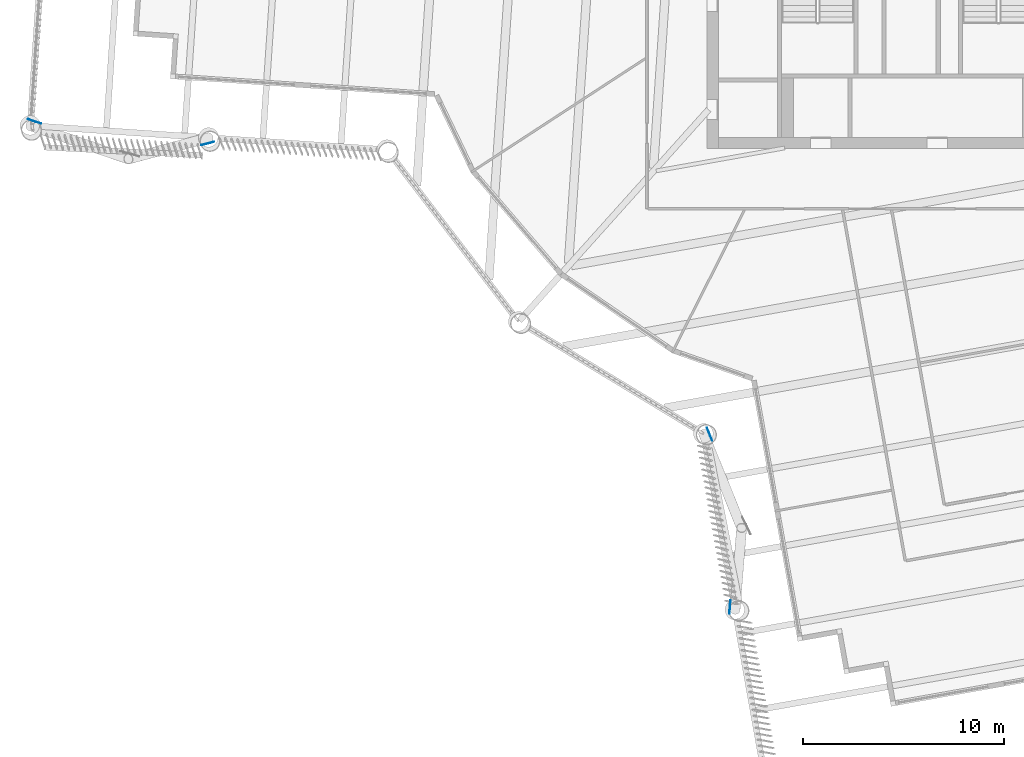
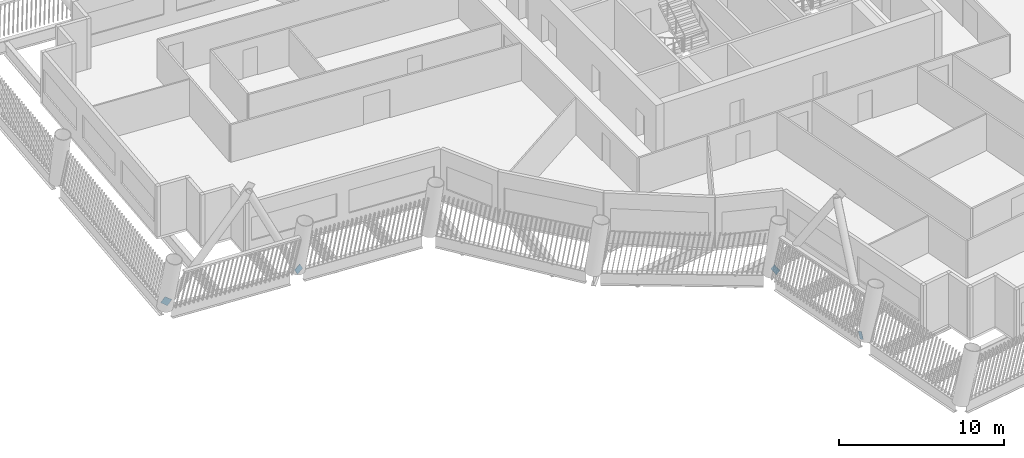
# One storey, part 11 of 22: 4 discrete accessories.
"""IFC4 building model written with IfcOpenShell, lengths in metres."""

from ifc_helpers import new_model, si_unit, direction, frame, origin, origin_2d, place, context, subcontext, project, spatial, rectangle, extrude, material, material_profile, profile_set, type_object, element, save


model = new_model("IFC4")

# Units and contexts
model_context = context("Model", 3, precision=1e-05, world=origin(), true_north=direction((0.0, 1.0)))
body_context = subcontext(model_context, "Body", "Model", "MODEL_VIEW")
ifc_project = project(units=[si_unit("LENGTHUNIT", "METRE"), si_unit("AREAUNIT", "SQUARE_METRE"), si_unit("VOLUMEUNIT", "CUBIC_METRE"), si_unit("PLANEANGLEUNIT", "RADIAN"), si_unit("MASSUNIT", "GRAM", prefix="KILO")], contexts=[model_context])

# Site, building, storey
site_placement = place(None, origin())
site = spatial("IfcSite", under=ifc_project, at=site_placement, CompositionType="ELEMENT")
building_placement = place(site_placement, origin())
building = spatial("IfcBuilding", under=site, at=building_placement, Name="Tarsis Ring Headquarters", CompositionType="ELEMENT")
storey_placement = place(building_placement, frame((0.0, 0.0, 270.800048828125)))
storey = spatial("IfcBuildingStorey", under=building, at=storey_placement, Name="L63", CompositionType="ELEMENT", Elevation=270.800048828125)

# Discrete accessories
ifc_material = material(Name="Structural steel S355", Category="steel")
ifc_material_profile = material_profile(ifc_material, rectangle(XDim=0.02490234375, YDim=0.5, at=origin_2d()), Name="PL 25x500")
ifc_profile_set = profile_set([ifc_material_profile], Name="Structural steel S355")
discrete_accessory_type = type_object("IfcDiscreteAccessoryType", Name="Gusset plate Exo brace 25", PredefinedType="BRACKET", material=ifc_profile_set)
for number, where, z_axis, x_axis, name in (
    (1, (-9.9306640625, -27.107421875, 0.0), (0.203606849317, -0.504866863775, 0.838840688554), (0.92742140075, 0.374018108426, 0.0), "Gusset plate GP5"),
    (2, (-8.879150390625, -35.94970703125, 0.0), (0.037105960311, 0.462848031254, 0.885660684277), (-0.99680189118, 0.079912387901, 0.0), "Gusset plate GP5"),
):
    element("IfcDiscreteAccessory", number, at=place(storey_placement, frame(where, z_axis=z_axis, x_axis=x_axis)), inside=storey, type_object=discrete_accessory_type, Name=name, PredefinedType="BRACKET", context=body_context, shape_type="SweptSolid", body=[
        extrude(rectangle(XDim=0.02490234375, YDim=0.5, at=origin_2d()), origin(), (0.0, 0.0, 1.0), 0.5),
    ])
discrete_accessory_1_placement = place(storey_placement, frame((-43.617431640625, -11.61767578125, 0.0), z_axis=(0.522651563018, -0.177799223307, 0.833800203806), x_axis=(0.322061349002, 0.946718800637, 0.0)))
element("IfcDiscreteAccessory", 3, at=discrete_accessory_1_placement, inside=storey, type_object=discrete_accessory_type, Name="Gusset plate GP5", PredefinedType="BRACKET", context=body_context, shape_type="SweptSolid", body=[
    extrude(rectangle(XDim=0.02490234375, YDim=0.5, at=origin_2d()), origin(), (0.0, 0.0, 1.0), 0.499755859375),
])
discrete_accessory_2_placement = place(storey_placement, frame((-34.7529296875, -12.72998046875, 0.0), z_axis=(-0.452548198823, -0.120093696775, 0.883616224238), x_axis=(0.25649433706, -0.966545733556, 0.0)))
element("IfcDiscreteAccessory", 4, at=discrete_accessory_2_placement, inside=storey, type_object=discrete_accessory_type, Name="Gusset plate GP5", PredefinedType="BRACKET", context=body_context, shape_type="SweptSolid", body=[
    extrude(rectangle(XDim=0.02490234375, YDim=0.5, at=origin_2d()), origin(), (0.0, 0.0, 1.0), 0.5),
])

save(model, "model.ifc")
